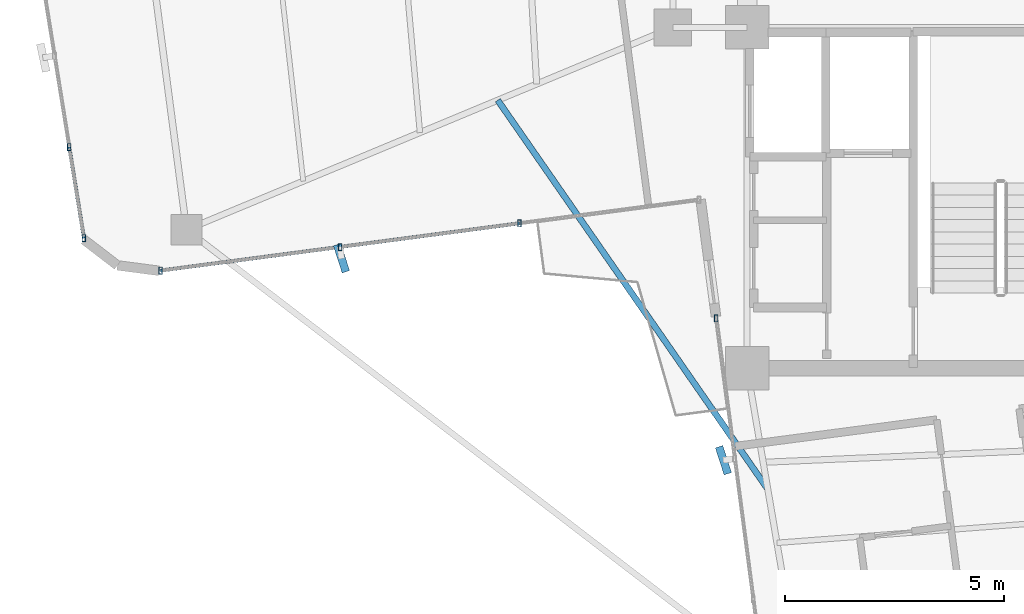
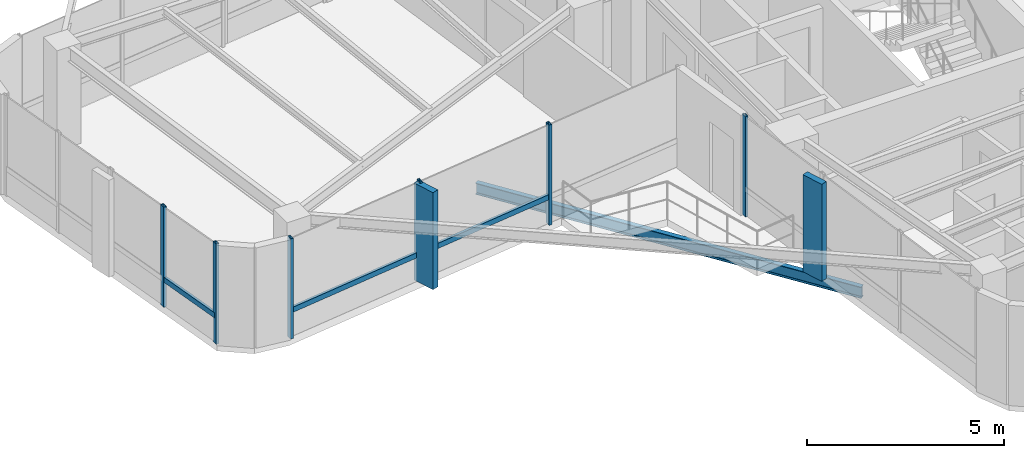
# One storey, part 2 of 21: 11 members, 1 beam, 3 elements without a shape of their own.
"""IFC4 building model written with IfcOpenShell, lengths in metres."""

import ifcopenshell
import ifcopenshell.guid

model = None  # the IFC model being written
_history = None  # IfcOwnerHistory: only IFC2X3 demands one
_inside = {}  # id of a spatial element -> (the spatial element, [elements in it])
_under = {}  # id of a project, library or spatial element -> (it, [spatial elements below it])
_declared = {}  # id of a project -> (the project, [libraries it declares])
_typed = {}  # id of a type object -> (the type object, [elements of that type])
_made_of = {}  # id of a material, layer set ... -> (it, [elements and type objects made of it])


def new_model(schema):
    """Start an empty IFC model of exactly this schema.

    Asked for "IFC4X3", IfcOpenShell would pick the latest addendum, in which some entities
    have other attributes; the version numbers below select the first issue.
    IFC2X3 requires an IfcOwnerHistory on every rooted entity: one is made here for all.
    """
    global model, _history
    if schema == "IFC4X3":
        model = ifcopenshell.file(schema_version=(4, 3, 0, 0))
    else:
        model = ifcopenshell.file(schema=schema)
    _inside.clear()
    _under.clear()
    _declared.clear()
    _typed.clear()
    _made_of.clear()
    _history = None
    if model.schema == "IFC2X3":
        org = make("IfcOrganization", Name="unknown")
        user = make(
            "IfcPersonAndOrganization",
            ThePerson=make("IfcPerson", FamilyName="unknown"),
            TheOrganization=org,
        )
        app = make(
            "IfcApplication",
            ApplicationDeveloper=org,
            Version="unknown",
            ApplicationFullName="unknown",
            ApplicationIdentifier="unknown",
        )
        _history = make(
            "IfcOwnerHistory",
            OwningUser=user,
            OwningApplication=app,
            ChangeAction="ADDED",
            CreationDate=0,
        )
    return model


def make(cls, **values):
    """One entity of the class cls with the attributes given. An attribute that is None is left unset."""
    return model.create_entity(
        cls, **{name: value for name, value in values.items() if value is not None}
    )


def rooted(cls, **values):
    """An entity with a GlobalId (a new one), such as an element, a storey or a relation."""
    return make(cls, GlobalId=ifcopenshell.guid.new(), OwnerHistory=_history, **values)


def si_unit(unit_type, name, prefix=None):
    """IfcSIUnit, for example si_unit("LENGTHUNIT", "METRE", prefix="MILLI")."""
    return make("IfcSIUnit", UnitType=unit_type, Prefix=prefix, Name=name)


def assignment(units):
    """IfcUnitAssignment: the units of a project."""
    return None if units is None else make("IfcUnitAssignment", Units=units)


def point(xyz):
    """IfcCartesianPoint."""
    return None if xyz is None else make("IfcCartesianPoint", Coordinates=xyz)


def direction(xyz):
    """IfcDirection."""
    return None if xyz is None else make("IfcDirection", DirectionRatios=xyz)


def frame(location, z_axis=None, x_axis=None):
    """IfcAxis2Placement3D, a coordinate frame: its origin and axes. An axis left out is left unset."""
    return make(
        "IfcAxis2Placement3D",
        Location=point(location),
        Axis=direction(z_axis),
        RefDirection=direction(x_axis),
    )


def frame_2d(location, x_axis=None):
    """IfcAxis2Placement2D, a coordinate frame in the plane: its origin and x axis."""
    return make(
        "IfcAxis2Placement2D", Location=point(location), RefDirection=direction(x_axis)
    )


def origin():
    """The frame at (0, 0, 0) with its axes left unset."""
    return frame((0.0, 0.0, 0.0))


def origin_2d():
    """The frame at (0, 0) in the plane with its x axis left unset."""
    return frame_2d((0.0, 0.0))


def place(relative_to, where):
    """IfcLocalPlacement: puts the frame where relative to a parent placement (None: the world)."""
    return make(
        "IfcLocalPlacement", PlacementRelTo=relative_to, RelativePlacement=where
    )


def context(
    kind, dimensions, precision=None, world=None, true_north=None, identifier=None
):
    """IfcGeometricRepresentationContext, for example the 3D "Model" context."""
    return make(
        "IfcGeometricRepresentationContext",
        ContextIdentifier=identifier,
        ContextType=kind,
        CoordinateSpaceDimension=dimensions,
        Precision=precision,
        WorldCoordinateSystem=world,
        TrueNorth=true_north,
    )


def subcontext(parent, identifier, kind, view, scale=None):
    """IfcGeometricRepresentationSubContext, for example "Body" below "Model"."""
    return make(
        "IfcGeometricRepresentationSubContext",
        ContextIdentifier=identifier,
        ContextType=kind,
        ParentContext=parent,
        TargetScale=scale,
        TargetView=view,
    )


def project(units=None, contexts=None):
    """IfcProject with its units and contexts."""
    return rooted(
        "IfcProject",
        Name="project",
        RepresentationContexts=contexts,
        UnitsInContext=assignment(units),
    )


def spatial(cls, under=None, at=None, **own):
    """A site, building, storey or space (cls), placed at a placement, below another one or the project."""
    s = rooted(cls, ObjectPlacement=at, **own)
    if under is not None:
        _under.setdefault(under.id(), (under, []))[1].append(s)
    return s


def profile(cls, at=None, kind="AREA", **sizes):
    """A parametric profile (cls). Its sizes go by their IFC names, for example OverallWidth=200.0."""
    return make(cls, ProfileType=kind, Position=at, **sizes)


def rectangle(**sizes):
    """IfcRectangleProfileDef."""
    return profile("IfcRectangleProfileDef", **sizes)


def hollow_rectangle(**sizes):
    """IfcRectangleHollowProfileDef."""
    return profile("IfcRectangleHollowProfileDef", **sizes)


def i_section(**sizes):
    """IfcIShapeProfileDef."""
    return profile("IfcIShapeProfileDef", **sizes)


def extrude(swept, where, along, depth):
    """IfcExtrudedAreaSolid: the profile swept, set in the frame where, extruded along a direction by depth."""
    return make(
        "IfcExtrudedAreaSolid",
        SweptArea=swept,
        Position=where,
        ExtrudedDirection=direction(along),
        Depth=depth,
    )


def shape(context_of_items, identifier, shape_type, items):
    """IfcShapeRepresentation: the items that make up one representation, for example the "Body"."""
    return make(
        "IfcShapeRepresentation",
        ContextOfItems=context_of_items,
        RepresentationIdentifier=identifier,
        RepresentationType=shape_type,
        Items=items,
    )


def source(mapping_origin, context_of_items, identifier, shape_type, items):
    """IfcRepresentationMap: a shape defined once, which mapped items show again and again."""
    return make(
        "IfcRepresentationMap",
        MappingOrigin=mapping_origin,
        MappedRepresentation=shape(context_of_items, identifier, shape_type, items),
    )


def transform(
    local_origin,
    x_axis=None,
    y_axis=None,
    z_axis=None,
    scale=None,
    scale2=None,
    scale3=None,
    uniform=True,
):
    """IfcCartesianTransformationOperator3D, or its non-uniform kind. x_axis, y_axis, z_axis: its Axis1, 2, 3."""
    if uniform:
        return make(
            "IfcCartesianTransformationOperator3D",
            Axis1=direction(x_axis),
            Axis2=direction(y_axis),
            LocalOrigin=point(local_origin),
            Scale=scale,
            Axis3=direction(z_axis),
        )
    return make(
        "IfcCartesianTransformationOperator3DnonUniform",
        Axis1=direction(x_axis),
        Axis2=direction(y_axis),
        LocalOrigin=point(local_origin),
        Scale=scale,
        Axis3=direction(z_axis),
        Scale2=scale2,
        Scale3=scale3,
    )


def mapped(mapping_source, mapping_target):
    """IfcMappedItem: shows the shape of a source again, moved by a transform."""
    return make(
        "IfcMappedItem", MappingSource=mapping_source, MappingTarget=mapping_target
    )


def material(Name=None, Category=None):
    """IfcMaterial."""
    return make("IfcMaterial", Name=Name, Category=Category)


def material_profile(
    of_material, cross_section, Name=None, Category=None, Priority=None
):
    """IfcMaterialProfile: a cross section and its material."""
    return make(
        "IfcMaterialProfile",
        Name=Name,
        Material=of_material,
        Profile=cross_section,
        Priority=Priority,
        Category=Category,
    )


def profile_set(profiles, Name=None, composite=None):
    """IfcMaterialProfileSet."""
    return make(
        "IfcMaterialProfileSet",
        Name=Name,
        MaterialProfiles=profiles,
        CompositeProfile=composite,
    )


def made_of(thing, what):
    """Note that an element or type object is made of a material, layer set ...; save() writes the relation."""
    if what is not None:
        _made_of.setdefault(what.id(), (what, []))[1].append(thing)
    return thing


def type_object(cls, material=None, **own):
    """A type object (cls), such as IfcWallType, which elements share."""
    return made_of(rooted(cls, **own), material)


def element(
    cls,
    number,
    at=None,
    inside=None,
    cuts=None,
    type_object=None,
    material=None,
    context=None,
    identifier="Body",
    shape_type=None,
    held_by="IfcProductDefinitionShape",
    body=None,
    shapes=None,
    **own,
):
    """One element of the class cls, such as IfcWall. Its Tag is "e" and its number.

    at: its placement. inside: the storey or other place that contains it. cuts: it is an
    opening in that element (IfcRelVoidsElement). A single representation is given by context,
    identifier, shape_type and body (its items); several are given by shapes. held_by: the class
    of the entity that holds the representations. save() writes the other relations.
    """
    e = rooted(cls, Tag="e%d" % number, ObjectPlacement=at, **own)
    if body is not None:
        shapes = [shape(context, identifier, shape_type, body)]
    if shapes is not None:
        e.Representation = make(held_by, Representations=shapes)
    if inside is not None:
        _inside.setdefault(inside.id(), (inside, []))[1].append(e)
    if cuts is not None:
        rooted(
            "IfcRelVoidsElement", RelatingBuildingElement=cuts, RelatedOpeningElement=e
        )
    if type_object is not None:
        _typed.setdefault(type_object.id(), (type_object, []))[1].append(e)
    return made_of(e, material)


def aggregate(whole, parts):
    """IfcRelAggregates: a whole, such as a stair, and the parts it consists of."""
    return rooted("IfcRelAggregates", RelatingObject=whole, RelatedObjects=parts)


def save(model, path):
    """Write the relations noted so far, then the file.

    IfcRelAggregates (storeys below a building ...), IfcRelContainedInSpatialStructure (elements
    in a storey), IfcRelDefinesByType, IfcRelAssociatesMaterial and IfcRelDeclares: one each for
    every whole, place, type object, material and project.
    """
    for whole, parts in _under.values():
        aggregate(whole, parts)
    for where, things in _inside.values():
        rooted(
            "IfcRelContainedInSpatialStructure",
            RelatedElements=things,
            RelatingStructure=where,
        )
    for kind, things in _typed.values():
        rooted("IfcRelDefinesByType", RelatedObjects=things, RelatingType=kind)
    for what, things in _made_of.values():
        rooted("IfcRelAssociatesMaterial", RelatedObjects=things, RelatingMaterial=what)
    for by, libraries in _declared.values():
        rooted("IfcRelDeclares", RelatingContext=by, RelatedDefinitions=libraries)
    model.write(path)


model = new_model("IFC4")

# Units and contexts
model_context = context("Model", 3, precision=1e-05, world=origin(), true_north=direction((0.0, 1.0)))
body_context = subcontext(model_context, "Body", "Model", "MODEL_VIEW")
ifc_project = project(units=[si_unit("LENGTHUNIT", "METRE"), si_unit("AREAUNIT", "SQUARE_METRE"), si_unit("VOLUMEUNIT", "CUBIC_METRE"), si_unit("PLANEANGLEUNIT", "RADIAN"), si_unit("MASSUNIT", "GRAM", prefix="KILO")], contexts=[model_context])

# Site, building, storey
site_placement = place(None, origin())
site = spatial("IfcSite", under=ifc_project, at=site_placement, CompositionType="ELEMENT")
building_placement = place(site_placement, origin())
building = spatial("IfcBuilding", under=site, at=building_placement, Name="Sahyath Konkavel Grand Hotel", CompositionType="ELEMENT")
storey_placement = place(building_placement, frame((0.0, 0.0, 213.199951171875)))
storey = spatial("IfcBuildingStorey", under=building, at=storey_placement, Name="L59", CompositionType="ELEMENT", Elevation=213.199951171875)

# Curtain wall, member
ifc_material_1 = material(Name="Anodised Bronze Aluminium & Low-E Glazing", Category="aluminium")
curtain_wall_type = type_object("IfcCurtainWallType", Name="CW-ZONE4", PredefinedType="NOTDEFINED", material=ifc_material_1)
curtain_wall_1_placement = place(storey_placement, origin())
curtain_wall_1 = element("IfcCurtainWall", 1, at=curtain_wall_1_placement, inside=storey, type_object=curtain_wall_type, Name="L59 Unitised Curtain Wall F23", PredefinedType="NOTDEFINED")
ifc_material_2 = material(Name="Warm Buff Sandstone Cladding on Concrete C50/60", Category="masonry")
ifc_material_profile_1 = material_profile(ifc_material_2, rectangle(XDim=0.179931640625, YDim=0.64990234375, at=origin_2d()), Name="FIN 180x650")
ifc_profile_set_1 = profile_set([ifc_material_profile_1], Name="Warm Buff Sandstone Cladding on Concrete C50/60")
member_type_1 = type_object("IfcMemberType", Name="FIN-SANDSTONE-650", PredefinedType="MULLION", material=ifc_profile_set_1)
shared_shape_1 = source(origin(), body_context, "Body", "SweptSolid", [
    extrude(rectangle(XDim=0.179931640625, YDim=0.64990234375, at=origin_2d()), origin(), (0.0, 0.0, 1.0), 3.010009765625),
])
member_1_placement = place(storey_placement, frame((-13.0791015625, -7.682861328125, 0.050048828125), z_axis=(0.0, 0.0, 1.0), x_axis=(0.951272019071, 0.30835295642, 0.0)))
member_1 = element("IfcMember", 2, at=member_1_placement, type_object=member_type_1, Name="L59 Sandstone Vertical Solar Fin FIN F23-1", PredefinedType="MULLION", context=body_context, shape_type="MappedRepresentation", body=[
    mapped(shared_shape_1, transform((0.0, 0.0, 0.0), scale=1.0)),
])

curtain_wall_2_placement = place(storey_placement, origin())
curtain_wall_2 = element("IfcCurtainWall", 3, at=curtain_wall_2_placement, inside=storey, type_object=curtain_wall_type, Name="L59 Unitised Curtain Wall F24", PredefinedType="NOTDEFINED")
member_2_placement = place(storey_placement, frame((-4.341552734375, -12.302001953125, 0.050048828125), z_axis=(0.0, 0.0, 1.0), x_axis=(0.951272019071, 0.30835295642, 0.0)))
member_2 = element("IfcMember", 4, at=member_2_placement, type_object=member_type_1, Name="L59 Sandstone Vertical Solar Fin FIN F24-1", PredefinedType="MULLION", context=body_context, shape_type="MappedRepresentation", body=[
    mapped(shared_shape_1, transform((0.0, 0.0, 0.0), scale=1.0)),
])

# Curtain wall, members
curtain_wall_3_placement = place(storey_placement, origin())
curtain_wall_3 = element("IfcCurtainWall", 5, at=curtain_wall_3_placement, inside=storey, type_object=curtain_wall_type, Name="L59 Unitised Curtain Wall F20", PredefinedType="NOTDEFINED")
ifc_material_3 = material(Name="Anodised Bronze Aluminium", Category="aluminium")
ifc_material_profile_2 = material_profile(ifc_material_3, hollow_rectangle(XDim=0.080078125, YDim=0.159912109375, WallThickness=0.006103515625, at=origin_2d()), Name="RHS 160x80x6")
ifc_profile_set_2 = profile_set([ifc_material_profile_2], Name="Anodised Bronze Aluminium")
member_type_2 = type_object("IfcMemberType", Name="CW-MUL-160", PredefinedType="MULLION", material=ifc_profile_set_2)
shared_shape_2 = source(origin(), body_context, "Body", "SweptSolid", [
    extrude(hollow_rectangle(XDim=0.080078125, YDim=0.159912109375, WallThickness=0.006103515625, at=origin_2d()), origin(), (0.0, 0.0, 1.0), 3.110107421875),
])
member_3_placement = place(storey_placement, frame((-19.30908203125, -5.137939453125, 0.0), z_axis=(0.0, 0.0, 1.0), x_axis=(1.0, 0.0, 0.0)))
member_3 = element("IfcMember", 6, at=member_3_placement, type_object=member_type_2, Name="L59 Curtain Wall Mullion F20-3", PredefinedType="MULLION", context=body_context, shape_type="MappedRepresentation", body=[
    mapped(shared_shape_2, transform((0.0, 0.0, 0.0), scale=1.0)),
])
member_4_placement = place(storey_placement, frame((-18.972900390625, -7.22314453125, 0.0), z_axis=(0.0, 0.0, 1.0), x_axis=(1.0, 0.0, 0.0)))
member_4 = element("IfcMember", 7, at=member_4_placement, type_object=member_type_2, Name="L59 Curtain Wall Mullion F20-4", PredefinedType="MULLION", context=body_context, shape_type="MappedRepresentation", body=[
    mapped(shared_shape_2, transform((0.0, 0.0, 0.0), scale=1.0)),
])

# Member
member_5_placement = place(storey_placement, frame((-17.217529296875, -7.965576171875, 0.0), z_axis=(0.0, 0.0, 1.0), x_axis=(1.0, 0.0, 0.0)))
member_5 = element("IfcMember", 8, at=member_5_placement, type_object=member_type_2, Name="L59 Curtain Wall Mullion F23-0", PredefinedType="MULLION", context=body_context, shape_type="MappedRepresentation", body=[
    mapped(shared_shape_2, transform((0.0, 0.0, 0.0), scale=1.0)),
])

member_6_placement = place(storey_placement, frame((-13.113037109375, -7.425048828125, 0.0), z_axis=(0.0, 0.0, 1.0), x_axis=(1.0, 0.0, 0.0)))
member_6 = element("IfcMember", 9, at=member_6_placement, type_object=member_type_2, Name="L59 Curtain Wall Mullion F23-1", PredefinedType="MULLION", context=body_context, shape_type="MappedRepresentation", body=[
    mapped(shared_shape_2, transform((0.0, 0.0, 0.0), scale=1.0)),
])

member_7_placement = place(storey_placement, frame((-9.008544921875, -6.884765625, 0.0), z_axis=(0.0, 0.0, 1.0), x_axis=(1.0, 0.0, 0.0)))
member_7 = element("IfcMember", 10, at=member_7_placement, type_object=member_type_2, Name="L59 Curtain Wall Mullion F23-2", PredefinedType="MULLION", context=body_context, shape_type="MappedRepresentation", body=[
    mapped(shared_shape_2, transform((0.0, 0.0, 0.0), scale=1.0)),
])

member_8_placement = place(storey_placement, frame((-4.506591796875, -9.0556640625, 0.0), z_axis=(0.0, 0.0, 1.0), x_axis=(1.0, 0.0, 0.0)))
member_8 = element("IfcMember", 11, at=member_8_placement, type_object=member_type_2, Name="L59 Curtain Wall Mullion F24-0", PredefinedType="MULLION", context=body_context, shape_type="MappedRepresentation", body=[
    mapped(shared_shape_2, transform((0.0, 0.0, 0.0), scale=1.0)),
])

aggregate(curtain_wall_2, [member_8, member_2])

ifc_material_profile_3 = material_profile(ifc_material_3, hollow_rectangle(XDim=0.080078125, YDim=0.159912109375, WallThickness=0.006103515625, at=origin_2d()), Name="RHS 160x80x6")
ifc_profile_set_3 = profile_set([ifc_material_profile_3], Name="Anodised Bronze Aluminium")
member_type_3 = type_object("IfcMemberType", Name="CW-TRN-160", PredefinedType="USERDEFINED", material=ifc_profile_set_3)
shared_shape_3 = source(origin(), body_context, "Body", "SweptSolid", [
    extrude(hollow_rectangle(XDim=0.080078125, YDim=0.159912109375, WallThickness=0.006103515625, at=origin_2d()), origin(), (0.0, 0.0, 1.0), 2.112060546875),
])
member_9_placement = place(storey_placement, frame((-19.30908203125, -5.137939453125, 0.85009765625), z_axis=(0.159167023612, -0.98725166933, 0.0), x_axis=(0.98725166933, 0.159167023612, 0.0)))
member_9 = element("IfcMember", 12, at=member_9_placement, type_object=member_type_3, Name="L59 Curtain Wall Transom F20-3-spandrel", ObjectType="TRANSOM", PredefinedType="USERDEFINED", context=body_context, shape_type="MappedRepresentation", body=[
    mapped(shared_shape_3, transform((0.0, 0.0, 0.0), scale=1.0)),
])

aggregate(curtain_wall_3, [member_3, member_4, member_9])

shared_shape_4 = source(origin(), body_context, "Body", "SweptSolid", [
    extrude(hollow_rectangle(XDim=0.080078125, YDim=0.159912109375, WallThickness=0.006103515625, at=origin_2d()), origin(), (0.0, 0.0, 1.0), 4.139892578125),
])
member_10_placement = place(storey_placement, frame((-17.217529296875, -7.965576171875, 0.85009765625), z_axis=(0.991439837467, 0.130564346904, 0.0), x_axis=(-0.130564346904, 0.991439837467, 0.0)))
member_10 = element("IfcMember", 13, at=member_10_placement, type_object=member_type_3, Name="L59 Curtain Wall Transom F23-0-spandrel", ObjectType="TRANSOM", PredefinedType="USERDEFINED", context=body_context, shape_type="MappedRepresentation", body=[
    mapped(shared_shape_4, transform((0.0, 0.0, 0.0), scale=1.0)),
])

member_11_placement = place(storey_placement, frame((-13.113037109375, -7.425048828125, 0.85009765625), z_axis=(0.991447469582, 0.130506379383, 0.0), x_axis=(-0.130506379383, 0.991447469582, 0.0)))
member_11 = element("IfcMember", 14, at=member_11_placement, type_object=member_type_3, Name="L59 Curtain Wall Transom F23-1-spandrel", ObjectType="TRANSOM", PredefinedType="USERDEFINED", context=body_context, shape_type="MappedRepresentation", body=[
    mapped(shared_shape_4, transform((0.0, 0.0, 0.0), scale=1.0)),
])

aggregate(curtain_wall_1, [member_5, member_6, member_1, member_7, member_10, member_11])

# Beam
ifc_material_4 = material(Name="Steel E350", Category="steel")
ifc_material_profile_4 = material_profile(ifc_material_4, i_section(OverallWidth=0.139892578125, OverallDepth=0.35009765625, WebThickness=0.008056640625, FlangeThickness=0.01416015625, FilletRadius=0.013916015625, at=origin_2d()), Name="ISMB 350")
ifc_profile_set_4 = profile_set([ifc_material_profile_4], Name="Steel E350")
beam_type = type_object("IfcBeamType", Name="BM-BALC-CANT", PredefinedType="BEAM", material=ifc_profile_set_4)
shared_shape_5 = source(origin(), body_context, "Body", "SweptSolid", [
    extrude(i_section(OverallWidth=0.139892578125, OverallDepth=0.35009765625, WebThickness=0.008056640625, FlangeThickness=0.01416015625, FilletRadius=0.013916015625, at=origin_2d()), origin(), (0.0, 0.0, 1.0), 10.831298828125),
])
beam_placement = place(storey_placement, frame((-9.5048828125, -4.06689453125, -0.4150390625), z_axis=(0.570310057725, -0.821429508879, 0.0), x_axis=(0.821429508879, 0.570310057725, 0.0)))
element("IfcBeam", 15, at=beam_placement, inside=storey, type_object=beam_type, Name="L59 Balcony Cantilever Support Beam SW", PredefinedType="BEAM", context=body_context, shape_type="MappedRepresentation", body=[
    mapped(shared_shape_5, transform((0.0, 0.0, 0.0), scale=1.0)),
])

save(model, "model.ifc")
